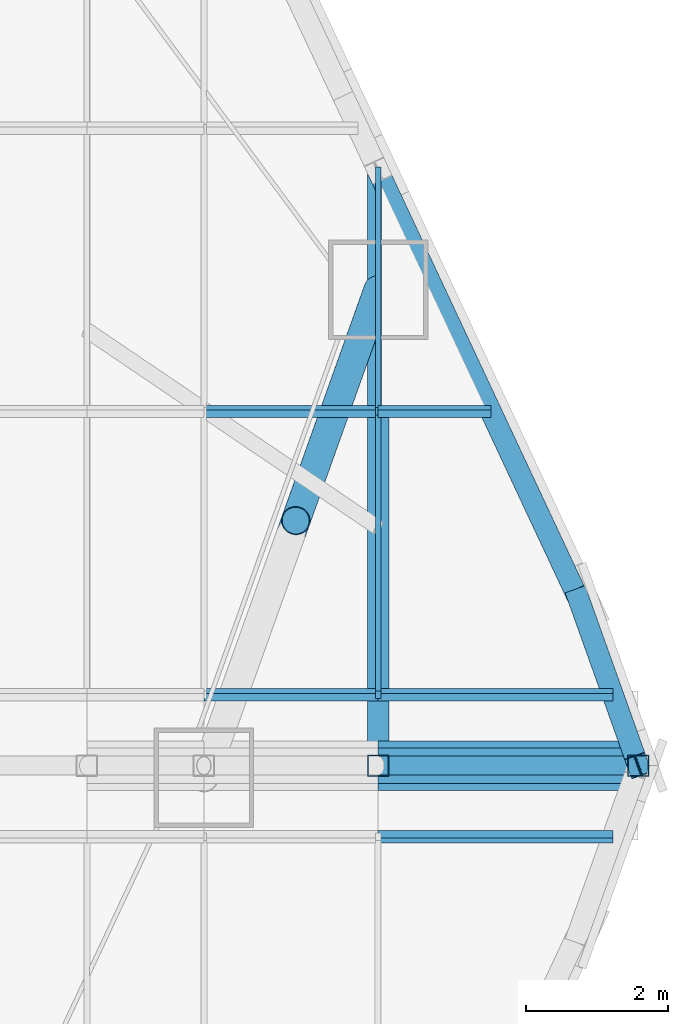
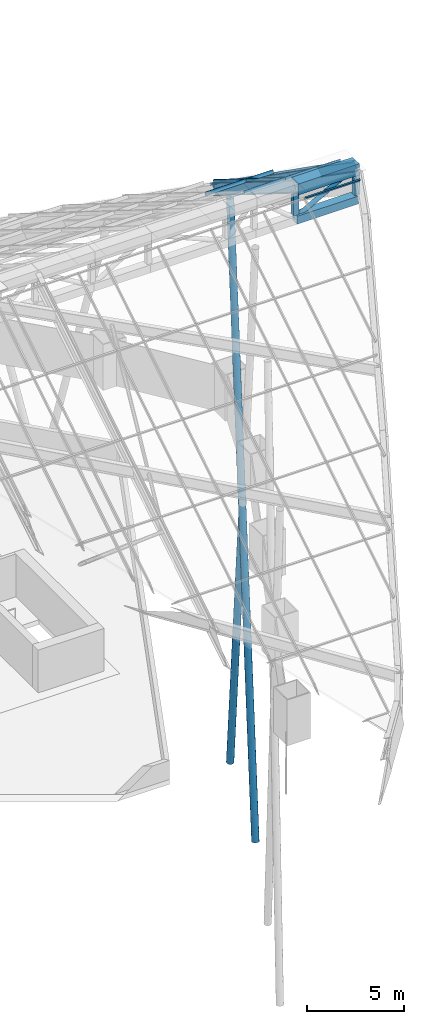
# One storey, part 23 of 38: 17 members, 4 elements without a shape of their own.
"""IFC4 building model written with IfcOpenShell, lengths in metres."""

from ifc_helpers import new_model, si_unit, direction, frame, origin, origin_2d, place, context, subcontext, project, spatial, rectangle, hollow_rectangle, hollow_circle, i_section, extrude, material, layer, layer_set, material_profile, profile_set, type_object, element, aggregate, save


model = new_model("IFC4")

# Units and contexts
model_context = context("Model", 3, precision=1e-05, world=origin(), true_north=direction((0.0, 1.0)))
body_context = subcontext(model_context, "Body", "Model", "MODEL_VIEW")
ifc_project = project(units=[si_unit("LENGTHUNIT", "METRE"), si_unit("AREAUNIT", "SQUARE_METRE"), si_unit("VOLUMEUNIT", "CUBIC_METRE"), si_unit("PLANEANGLEUNIT", "RADIAN"), si_unit("MASSUNIT", "GRAM", prefix="KILO")], contexts=[model_context])

# Site, building, storey
site_placement = place(None, origin())
site = spatial("IfcSite", under=ifc_project, at=site_placement, CompositionType="ELEMENT")
building_placement = place(site_placement, origin())
building = spatial("IfcBuilding", under=site, at=building_placement, Name="Dongbaek Canopy Tower", CompositionType="ELEMENT")
storey_placement = place(building_placement, frame((0.0, 0.0, 375.800048828125)))
storey = spatial("IfcBuildingStorey", under=building, at=storey_placement, Name="Roof", CompositionType="ELEMENT", Elevation=375.800048828125)

# Members
ifc_material_1 = material(Name="Steel S355", Category="steel")
ifc_material_profile_1 = material_profile(ifc_material_1, hollow_circle(Radius=0.203125, WallThickness=0.0126953125, at=origin_2d()), Name="COLONNADE BRACE CHS 406.4x12.7 Steel S355")
ifc_profile_set_1 = profile_set([ifc_material_profile_1], Name="Steel S355")
member_type_1 = type_object("IfcMemberType", Name="COLONNADE BRACE CHS 406.4x12.7 Steel S355", PredefinedType="BRACE", material=ifc_profile_set_1)
member_1_placement = place(storey_placement, frame((28.35107421875, -0.169921875, -22.199951171875), z_axis=(0.067405734019, 0.188656920075, 0.979727019904), x_axis=(-0.941697218891, 0.336461510329, 0.0)))
element("IfcMember", 1, at=member_1_placement, inside=storey, type_object=member_type_1, Name="XBRACE:12:0", PredefinedType="BRACE", context=body_context, shape_type="SweptSolid", body=[
    extrude(hollow_circle(Radius=0.203125, WallThickness=0.0126953125, at=origin_2d()), origin(), (0.0, 0.0, 1.0), 36.404296875),
])
member_2_placement = place(storey_placement, frame((30.804931640625, 6.697998046875, -22.199951171875), z_axis=(-0.064103583815, -0.179422628179, 0.981681338847), x_axis=(0.941701884129, -0.336448452854, 0.0)))
element("IfcMember", 2, at=member_2_placement, inside=storey, type_object=member_type_1, Name="XBRACE:12:1", PredefinedType="BRACE", context=body_context, shape_type="SweptSolid", body=[
    extrude(hollow_circle(Radius=0.203125, WallThickness=0.0126953125, at=origin_2d()), origin(), (0.0, 0.0, 1.0), 18.109619140625),
])

# Curtain wall, member
ifc_material_2 = material(Name="Aluminium 6063-T6 pale anodised", Category="aluminium")
ifc_layer = layer(ifc_material_2, 0.199951171875)
ifc_layer_set = layer_set([ifc_layer], Name="CW-6 canopy glazing curtain wall")
curtain_wall_type = type_object("IfcCurtainWallType", Name="CW-6 canopy glazing curtain wall", PredefinedType="NOTDEFINED", material=ifc_layer_set)
curtain_wall_1_placement = place(storey_placement, origin())
curtain_wall_1 = element("IfcCurtainWall", 3, at=curtain_wall_1_placement, inside=storey, type_object=curtain_wall_type, Name="CW-6 canopy glazing north 30.1", PredefinedType="NOTDEFINED")
ifc_material_3 = material(Name="Aluminium 6063-T6 pale anodised", Category="aluminium")
ifc_material_profile_2 = material_profile(ifc_material_3, rectangle(XDim=0.080078125, YDim=0.199951171875, at=origin_2d()), Name="CW-6 mullion 80 x 200")
ifc_profile_set_2 = profile_set([ifc_material_profile_2], Name="Aluminium 6063-T6 pale anodised")
member_type_2 = type_object("IfcMemberType", Name="CW-6 mullion 80 x 200", PredefinedType="MULLION", material=ifc_profile_set_2)
member_3_placement = place(storey_placement, frame((30.804931640625, 1.0, 18.0986328125), z_axis=(0.0, 0.848068327403, -0.529886886095), x_axis=(-1.0, 0.0, 0.0)))
member_3 = element("IfcMember", 4, at=member_3_placement, type_object=member_type_2, Name="CW-6 mullion N30.1.30.8", PredefinedType="MULLION", context=body_context, shape_type="SweptSolid", body=[
    extrude(rectangle(XDim=0.080078125, YDim=0.199951171875, at=origin_2d()), origin(), (0.0, 0.0, 1.0), 4.700439453125),
])

curtain_wall_2_placement = place(storey_placement, origin())
curtain_wall_2 = element("IfcCurtainWall", 5, at=curtain_wall_2_placement, inside=storey, type_object=curtain_wall_type, Name="CW-6 canopy glazing north 30.2", PredefinedType="NOTDEFINED")
member_4_placement = place(storey_placement, frame((30.804931640625, 4.986328125, 15.60791015625), z_axis=(0.0, 0.848032661292, -0.52994396438), x_axis=(-1.0, 0.0, 0.0)))
member_4 = element("IfcMember", 6, at=member_4_placement, type_object=member_type_2, Name="CW-6 mullion N30.2.30.8", PredefinedType="MULLION", context=body_context, shape_type="SweptSolid", body=[
    extrude(rectangle(XDim=0.080078125, YDim=0.199951171875, at=origin_2d()), origin(), (0.0, 0.0, 1.0), 3.991943359375),
])
aggregate(curtain_wall_2, [member_4])

# Member
ifc_material_4 = material(Name="Aluminium 6063-T6 pale anodised", Category="aluminium")
ifc_material_profile_3 = material_profile(ifc_material_4, rectangle(XDim=0.080078125, YDim=0.199951171875, at=origin_2d()), Name="CW-6 transom 80 x 200")
ifc_profile_set_3 = profile_set([ifc_material_profile_3], Name="Aluminium 6063-T6 pale anodised")
member_type_3 = type_object("IfcMemberType", Name="CW-6 transom 80 x 200", PredefinedType="USERDEFINED", material=ifc_profile_set_3)
member_5_placement = place(storey_placement, frame((28.35107421875, 1.0, 18.0986328125), z_axis=(1.0, 0.0, 0.0), x_axis=(0.0, 0.848048096156, -0.529919264233)))
member_5 = element("IfcMember", 7, at=member_5_placement, type_object=member_type_3, Name="CW-6 transom N30.1.1", ObjectType="TRANSOM", PredefinedType="USERDEFINED", context=body_context, shape_type="SweptSolid", body=[
    extrude(rectangle(XDim=0.080078125, YDim=0.199951171875, at=origin_2d()), origin(), (0.0, 0.0, 1.0), 2.453857421875),
])

member_6_placement = place(storey_placement, frame((28.35107421875, 4.986328125, 15.60791015625), z_axis=(1.0, 0.0, 0.0), x_axis=(0.0, 0.848048096156, -0.529919264233)))
member_6 = element("IfcMember", 8, at=member_6_placement, type_object=member_type_3, Name="CW-6 transom N30.1.2", ObjectType="TRANSOM", PredefinedType="USERDEFINED", context=body_context, shape_type="SweptSolid", body=[
    extrude(rectangle(XDim=0.080078125, YDim=0.199951171875, at=origin_2d()), origin(), (0.0, 0.0, 1.0), 2.453857421875),
])

aggregate(curtain_wall_1, [member_3, member_5, member_6])

# Curtain wall, members
curtain_wall_3_placement = place(storey_placement, origin())
curtain_wall_3 = element("IfcCurtainWall", 9, at=curtain_wall_3_placement, inside=storey, type_object=curtain_wall_type, Name="CW-6 canopy glazing north 31.1", PredefinedType="NOTDEFINED")
member_7_placement = place(storey_placement, frame((30.804931640625, 1.0, 18.0986328125), z_axis=(1.0, 0.0, 0.0), x_axis=(0.0, 0.848048096156, -0.529919264233)))
member_7 = element("IfcMember", 10, at=member_7_placement, type_object=member_type_3, Name="CW-6 transom N31.1.1", ObjectType="TRANSOM", PredefinedType="USERDEFINED", context=body_context, shape_type="SweptSolid", body=[
    extrude(rectangle(XDim=0.080078125, YDim=0.199951171875, at=origin_2d()), origin(), (0.0, 0.0, 1.0), 3.302490234375),
])
member_8_placement = place(storey_placement, frame((30.804931640625, 4.986328125, 15.60791015625), z_axis=(1.0, 0.0, 0.0), x_axis=(0.0, 0.848048096156, -0.529919264233)))
member_8 = element("IfcMember", 11, at=member_8_placement, type_object=member_type_3, Name="CW-6 transom N31.1.2", ObjectType="TRANSOM", PredefinedType="USERDEFINED", context=body_context, shape_type="SweptSolid", body=[
    extrude(rectangle(XDim=0.080078125, YDim=0.199951171875, at=origin_2d()), origin(), (0.0, 0.0, 1.0), 1.5849609375),
])
aggregate(curtain_wall_3, [member_7, member_8])

# Curtain wall, member
curtain_wall_4_placement = place(storey_placement, origin())
curtain_wall_4 = element("IfcCurtainWall", 12, at=curtain_wall_4_placement, inside=storey, type_object=curtain_wall_type, Name="CW-6 canopy glazing south 31.1", PredefinedType="NOTDEFINED")
member_9_placement = place(storey_placement, frame((30.804931640625, -1.0, 18.0986328125), z_axis=(1.0, 0.0, 0.0), x_axis=(0.0, 0.848048096156, 0.529919264233)))
member_9 = element("IfcMember", 13, at=member_9_placement, type_object=member_type_3, Name="CW-6 transom S31.1.1", ObjectType="TRANSOM", PredefinedType="USERDEFINED", context=body_context, shape_type="SweptSolid", body=[
    extrude(rectangle(XDim=0.080078125, YDim=0.199951171875, at=origin_2d()), origin(), (0.0, 0.0, 1.0), 3.302490234375),
])
aggregate(curtain_wall_4, [member_9])

# Members
ifc_material_5 = material(Name="Steel S355", Category="steel")
ifc_material_profile_4 = material_profile(ifc_material_5, i_section(OverallWidth=0.300048828125, OverallDepth=0.587890625, WebThickness=0.011962890625, FlangeThickness=0.02001953125, FilletRadius=0.028076171875, at=origin_2d()), Name="EAVES BEAM H 588x300x12x20 Steel S355")
ifc_profile_set_4 = profile_set([ifc_material_profile_4], Name="Steel S355")
member_type_4 = type_object("IfcMemberType", Name="EAVES BEAM H 588x300x12x20 Steel S355", PredefinedType="MEMBER", material=ifc_profile_set_4)
member_10_placement = place(storey_placement, frame((34.464599609375, 0.0, 18.251708984375), z_axis=(-0.28999238228, 0.811606451458, -0.507148288148), x_axis=(-0.941693046542, -0.336473187779, 0.0)))
element("IfcMember", 14, at=member_10_placement, inside=storey, type_object=member_type_4, Name="EAVE:30", PredefinedType="MEMBER", context=body_context, shape_type="SweptSolid", body=[
    extrude(i_section(OverallWidth=0.300048828125, OverallDepth=0.587890625, WebThickness=0.011962890625, FlangeThickness=0.02001953125, FilletRadius=0.028076171875, at=origin_2d()), origin(), (0.0, 0.0, 1.0), 2.885986328125),
])
member_11_placement = place(storey_placement, frame((33.627685546875, 2.34228515625, 16.7880859375), z_axis=(-0.369011068076, 0.788193853762, -0.492525411049), x_axis=(-0.905659666207, -0.424005387945, 0.0)))
element("IfcMember", 15, at=member_11_placement, inside=storey, type_object=member_type_4, Name="EAVE:31", PredefinedType="MEMBER", context=body_context, shape_type="SweptSolid", body=[
    extrude(i_section(OverallWidth=0.300048828125, OverallDepth=0.587890625, WebThickness=0.011962890625, FlangeThickness=0.02001953125, FilletRadius=0.028076171875, at=origin_2d()), origin(), (0.0, 0.0, 1.0), 7.6494140625),
])
ifc_material_6 = material(Name="Steel S355", Category="steel")
ifc_material_profile_5 = material_profile(ifc_material_6, i_section(OverallWidth=0.300048828125, OverallDepth=0.699951171875, WebThickness=0.012939453125, FlangeThickness=0.02392578125, FilletRadius=0.028076171875, at=origin_2d()), Name="RAFTER H 700x300x13x24 Steel S355")
ifc_profile_set_5 = profile_set([ifc_material_profile_5], Name="Steel S355")
member_type_5 = type_object("IfcMemberType", Name="RAFTER H 700x300x13x24 Steel S355", PredefinedType="RAFTER", material=ifc_profile_set_5)
member_12_placement = place(storey_placement, frame((30.804931640625, 8.37158203125, 13.0205078125), z_axis=(0.0, -0.848045540714, 0.529923353773), x_axis=(1.0, 0.0, 0.0)))
element("IfcMember", 16, at=member_12_placement, inside=storey, type_object=member_type_5, Name="RAFTER:24", PredefinedType="RAFTER", context=body_context, shape_type="SweptSolid", body=[
    extrude(i_section(OverallWidth=0.300048828125, OverallDepth=0.699951171875, WebThickness=0.012939453125, FlangeThickness=0.02392578125, FilletRadius=0.028076171875, at=origin_2d()), origin(), (0.0, 0.0, 1.0), 9.87158203125),
])
ifc_material_7 = material(Name="Steel S355", Category="steel")
ifc_material_profile_6 = material_profile(ifc_material_7, hollow_rectangle(XDim=0.699951171875, YDim=0.699951171875, WallThickness=0.035888671875, at=origin_2d()), Name="RIDGE BEAM BOX 700x700x36 Steel S355")
ifc_profile_set_6 = profile_set([ifc_material_profile_6], Name="Steel S355")
member_type_6 = type_object("IfcMemberType", Name="RIDGE BEAM BOX 700x700x36 Steel S355", PredefinedType="MEMBER", material=ifc_profile_set_6)
member_13_placement = place(storey_placement, frame((30.804931640625, 0.0, 18.251708984375), z_axis=(1.0, 0.0, 0.0), x_axis=(0.0, 1.0, 0.0)))
element("IfcMember", 17, at=member_13_placement, inside=storey, type_object=member_type_6, Name="RIDGE:28", PredefinedType="MEMBER", context=body_context, shape_type="SweptSolid", body=[
    extrude(hollow_rectangle(XDim=0.699951171875, YDim=0.699951171875, WallThickness=0.035888671875, at=origin_2d()), origin(), (0.0, 0.0, 1.0), 3.65966796875),
])
ifc_material_8 = material(Name="Steel S355", Category="steel")
ifc_material_profile_7 = material_profile(ifc_material_8, hollow_circle(Radius=0.1337890625, WallThickness=0.00927734375, at=origin_2d()), Name="RIDGE BRACE CHS 267.4x9.3 Steel S355")
ifc_profile_set_7 = profile_set([ifc_material_profile_7], Name="Steel S355")
member_type_7 = type_object("IfcMemberType", Name="RIDGE BRACE CHS 267.4x9.3 Steel S355", PredefinedType="BRACE", material=ifc_profile_set_7)
member_14_placement = place(storey_placement, frame((30.804931640625, 0.0, 16.251708984375), z_axis=(0.877510493307, 0.0, 0.479557435702), x_axis=(0.0, 1.0, 0.0)))
element("IfcMember", 18, at=member_14_placement, inside=storey, type_object=member_type_7, Name="RIDGEBRACE:28", PredefinedType="BRACE", context=body_context, shape_type="SweptSolid", body=[
    extrude(hollow_circle(Radius=0.1337890625, WallThickness=0.00927734375, at=origin_2d()), origin(), (0.0, 0.0, 1.0), 4.17041015625),
])
ifc_material_9 = material(Name="Steel S355", Category="steel")
ifc_material_profile_8 = material_profile(ifc_material_9, hollow_rectangle(XDim=0.5, YDim=0.5, WallThickness=0.030029296875, at=origin_2d()), Name="RIDGE LOWER CHORD BOX 500x500x30 Steel S355")
ifc_profile_set_8 = profile_set([ifc_material_profile_8], Name="Steel S355")
member_type_8 = type_object("IfcMemberType", Name="RIDGE LOWER CHORD BOX 500x500x30 Steel S355", PredefinedType="CHORD", material=ifc_profile_set_8)
member_15_placement = place(storey_placement, frame((30.804931640625, 0.0, 16.251708984375), z_axis=(1.0, 0.0, 0.0), x_axis=(0.0, 1.0, 0.0)))
element("IfcMember", 19, at=member_15_placement, inside=storey, type_object=member_type_8, Name="RIDGELOW:28", PredefinedType="CHORD", context=body_context, shape_type="SweptSolid", body=[
    extrude(hollow_rectangle(XDim=0.5, YDim=0.5, WallThickness=0.030029296875, at=origin_2d()), origin(), (0.0, 0.0, 1.0), 3.65966796875),
])
ifc_material_10 = material(Name="Steel S355", Category="steel")
ifc_material_profile_9 = material_profile(ifc_material_10, hollow_rectangle(XDim=0.300048828125, YDim=0.300048828125, WallThickness=0.011962890625, at=origin_2d()), Name="RIDGE POST SHS 300x300x12 Steel S355")
ifc_profile_set_9 = profile_set([ifc_material_profile_9], Name="Steel S355")
member_type_9 = type_object("IfcMemberType", Name="RIDGE POST SHS 300x300x12 Steel S355", PredefinedType="POST", material=ifc_profile_set_9)
for number, where, z_axis, x_axis, name in (
    (20, (30.804931640625, 0.0, 16.501708984375), (0.0, 0.0, 1.0), (1.0, 0.0, 0.0), "RIDGEPOST:28"),
    (21, (34.464599609375, 0.0, 16.501708984375), (0.0, 0.0, 1.0), (1.0, 0.0, 0.0), "RIDGEPOST:29"),
):
    element("IfcMember", number, at=place(storey_placement, frame(where, z_axis=z_axis, x_axis=x_axis)), inside=storey, type_object=member_type_9, Name=name, PredefinedType="POST", context=body_context, shape_type="SweptSolid", body=[
        extrude(hollow_rectangle(XDim=0.300048828125, YDim=0.300048828125, WallThickness=0.011962890625, at=origin_2d()), origin(), (0.0, 0.0, 1.0), 1.400146484375),
    ])

save(model, "model.ifc")
